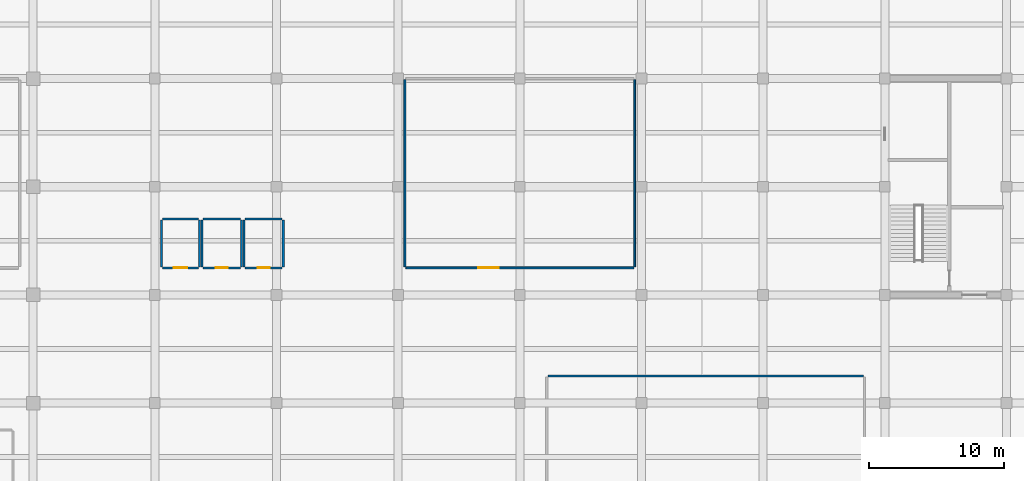
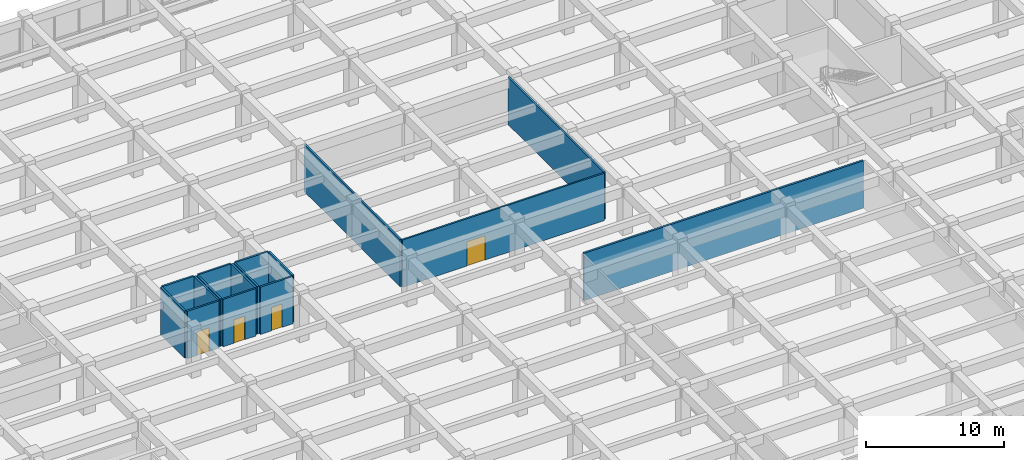
# One storey, part 31 of 50: 16 walls, 4 doors, 4 openings.
"""IFC4 building model written with IfcOpenShell, lengths in metres."""

from ifc_helpers import new_model, si_unit, direction, frame, frame_2d, origin, place, context, subcontext, project, spatial, rectangle, extrude, material, layer, layer_set, type_object, element, fill, save


model = new_model("IFC4")

# Units and contexts
model_context = context("Model", 3, precision=1e-05, world=origin(), true_north=direction((0.0, 1.0)))
body_context = subcontext(model_context, "Body", "Model", "MODEL_VIEW")
ifc_project = project(units=[si_unit("LENGTHUNIT", "METRE"), si_unit("AREAUNIT", "SQUARE_METRE"), si_unit("VOLUMEUNIT", "CUBIC_METRE"), si_unit("PLANEANGLEUNIT", "RADIAN"), si_unit("MASSUNIT", "GRAM", prefix="KILO")], contexts=[model_context])

# Site, building, storey
site_placement = place(None, origin())
site = spatial("IfcSite", under=ifc_project, at=site_placement, CompositionType="ELEMENT")
building_placement = place(site_placement, origin())
building = spatial("IfcBuilding", under=site, at=building_placement, Name="Zaverband Oceanarium and Marine Research Institute", CompositionType="ELEMENT")
storey_placement = place(building_placement, frame((0.0, 0.0, 4.5)))
storey = spatial("IfcBuildingStorey", under=building, at=storey_placement, Name="L01", CompositionType="ELEMENT", Elevation=4.5)

# Wall, opening, door
ifc_material_1 = material(Name="Acoustic classroom partition")
ifc_layer_1 = layer(ifc_material_1, 0.139892578125, Name="Acoustic classroom partition")
ifc_layer_set_1 = layer_set([ifc_layer_1], Name="Acoustic classroom partition")
wall_type_1 = type_object("IfcWallType", Name="PT-140-CL", PredefinedType="PARTITIONING", material=ifc_layer_set_1)
wall_1_placement = place(storey_placement, frame((99.570068359375, 82.0, 0.0), z_axis=(0.0, 0.0, 1.0), x_axis=(1.0, 0.0, 0.0)))
wall_1 = element("IfcWall", 1, at=wall_1_placement, inside=storey, type_object=wall_type_1, Name="Acoustic partition PT-140-CL", PredefinedType="PARTITIONING", context=body_context, shape_type="SweptSolid", body=[
    extrude(rectangle(XDim=16.85986328125, YDim=0.139892578125, at=frame_2d((8.429931640625, 0.0))), origin(), (0.0, 0.0, 1.0), 4.179931640625),
])
opening_1_placement = place(wall_1_placement, frame((5.368896484375, 0.0, 0.0)))
opening_1 = element("IfcOpeningElement", 2, at=opening_1_placement, cuts=wall_1, Name="Opening ID-1520x2150", PredefinedType="OPENING", context=body_context, shape_type="SweptSolid", body=[
    extrude(rectangle(XDim=1.52001953125, YDim=2.14990234375, at=frame_2d((0.760009765625, 1.074951171875))), frame((0.0, 0.08203125, 0.0), z_axis=(0.0, -1.0, 0.0), x_axis=(1.0, 0.0, 0.0)), (0.0, 0.0, 1.0), 0.163818359375),
])
ifc_material_2 = material(Name="Hardwood-veneered acoustic timber", Category="wood")
door_type_1 = type_object("IfcDoorType", Name="ID-1520x2150", OperationType="DOUBLE_DOOR_SINGLE_SWING", PredefinedType="DOOR", material=ifc_material_2)
door_1_placement = place(opening_1_placement, origin())
door_1 = element("IfcDoor", 3, at=door_1_placement, inside=storey, type_object=door_type_1, Name="Seminar double swing door ID-1520x2150", OperationType="DOUBLE_DOOR_SINGLE_SWING", OverallHeight=2.14990234375, OverallWidth=1.52001953125, PredefinedType="DOOR", context=body_context, shape_type="SweptSolid", body=[
    extrude(rectangle(XDim=1.52001953125, YDim=2.14990234375, at=frame_2d((0.760009765625, 1.074951171875))), frame((0.0, 0.02490234375, 0.0), z_axis=(0.0, -1.0, 0.0), x_axis=(1.0, 0.0, 0.0)), (0.0, 0.0, 1.0), 0.050048828125),
])
fill(opening_1, door_1)

# Walls
for number, where, z_axis, x_axis, name in (
    (4, (99.5, 82.070068359375, 0.0), (0.0, 0.0, 1.0), (0.0, 1.0, 0.0), "Acoustic partition PT-140-CL"),
    (5, (116.5, 82.070068359375, 0.0), (0.0, 0.0, 1.0), (0.0, 1.0, 0.0), "Acoustic partition PT-140-CL"),
):
    element("IfcWall", number, at=place(storey_placement, frame(where, z_axis=z_axis, x_axis=x_axis)), inside=storey, type_object=wall_type_1, Name=name, PredefinedType="PARTITIONING", context=body_context, shape_type="SweptSolid", body=[
        extrude(rectangle(XDim=13.85986328125, YDim=0.139892578125, at=frame_2d((6.929931640625, 0.0))), origin(), (0.0, 0.0, 1.0), 4.179931640625),
    ])

# Wall, opening, door
ifc_material_3 = material(Name="Ceramic-tiled wet-room blockwork", Category="masonry")
ifc_layer_2 = layer(ifc_material_3, 0.14990234375, Name="Ceramic-tiled wet-room blockwork")
ifc_layer_set_2 = layer_set([ifc_layer_2], Name="Ceramic-tiled wet-room blockwork")
wall_type_2 = type_object("IfcWallType", Name="PT-150-WC", PredefinedType="PARTITIONING", material=ifc_layer_set_2)
wall_2_placement = place(storey_placement, frame((81.574951171875, 82.0, 0.0), z_axis=(0.0, 0.0, 1.0), x_axis=(1.0, 0.0, 0.0)))
wall_2 = element("IfcWall", 6, at=wall_2_placement, inside=storey, type_object=wall_type_2, Name="Internal partition PT-150-WC", PredefinedType="PARTITIONING", context=body_context, shape_type="SweptSolid", body=[
    extrude(rectangle(XDim=2.650146484375, YDim=0.14990234375, at=frame_2d((1.3251953125, 0.0))), origin(), (0.0, 0.0, 1.0), 4.179931640625),
])
opening_2_placement = place(wall_2_placement, frame((0.81494140625, 0.0, 0.0)))
opening_2 = element("IfcOpeningElement", 7, at=opening_2_placement, cuts=wall_2, Name="Opening ID-1020x2100", PredefinedType="OPENING", context=body_context, shape_type="SweptSolid", body=[
    extrude(rectangle(XDim=1.02001953125, YDim=2.10009765625, at=frame_2d((0.510009765625, 1.050048828125))), frame((0.0, 0.0869140625, 0.0), z_axis=(0.0, -1.0, 0.0), x_axis=(1.0, 0.0, 0.0)), (0.0, 0.0, 1.0), 0.173828125),
])
door_type_2 = type_object("IfcDoorType", Name="ID-1020x2100", OperationType="NOTDEFINED", PredefinedType="DOOR", material=ifc_material_2)
door_2_placement = place(opening_2_placement, frame((1.02001953125, 0.0, 0.0), z_axis=(0.0, 0.0, 1.0), x_axis=(-1.0, 0.0, 0.0)))
door_2 = element("IfcDoor", 8, at=door_2_placement, inside=storey, type_object=door_type_2, Name="Accessible WC outward-swing door ID-1020x2100", OperationType="SINGLE_SWING_LEFT", OverallHeight=2.10009765625, OverallWidth=1.02001953125, PredefinedType="DOOR", context=body_context, shape_type="SweptSolid", body=[
    extrude(rectangle(XDim=1.02001953125, YDim=2.10009765625, at=frame_2d((0.510009765625, 1.050048828125))), frame((0.0, 0.02490234375, 0.0), z_axis=(0.0, -1.0, 0.0), x_axis=(1.0, 0.0, 0.0)), (0.0, 0.0, 1.0), 0.050048828125),
])
fill(opening_2, door_2)

# Walls
wall_3_placement = place(storey_placement, frame((81.574951171875, 85.60009765625, 0.0), z_axis=(0.0, 0.0, 1.0), x_axis=(1.0, 0.0, 0.0)))
element("IfcWall", 9, at=wall_3_placement, inside=storey, type_object=wall_type_2, Name="Internal partition PT-150-WC", PredefinedType="PARTITIONING", context=body_context, shape_type="SweptSolid", body=[
    extrude(rectangle(XDim=2.650146484375, YDim=0.14990234375, at=frame_2d((1.3251953125, 0.0))), origin(), (0.0, 0.0, 1.0), 4.179931640625),
])
for number, where, z_axis, x_axis, name in (
    (10, (81.5, 82.074951171875, 0.0), (0.0, 0.0, 1.0), (0.0, 1.0, 0.0), "Internal partition PT-150-WC"),
    (11, (84.300048828125, 82.074951171875, 0.0), (0.0, 0.0, 1.0), (0.0, 1.0, 0.0), "Internal partition PT-150-WC"),
):
    element("IfcWall", number, at=place(storey_placement, frame(where, z_axis=z_axis, x_axis=x_axis)), inside=storey, type_object=wall_type_2, Name=name, PredefinedType="PARTITIONING", context=body_context, shape_type="SweptSolid", body=[
        extrude(rectangle(XDim=3.449951171875, YDim=0.14990234375, at=frame_2d((1.72509765625, 0.0))), origin(), (0.0, 0.0, 1.0), 4.179931640625),
    ])

# Wall, opening, door
wall_4_placement = place(storey_placement, frame((84.574951171875, 82.0, 0.0), z_axis=(0.0, 0.0, 1.0), x_axis=(1.0, 0.0, 0.0)))
wall_4 = element("IfcWall", 12, at=wall_4_placement, inside=storey, type_object=wall_type_2, Name="Internal partition PT-150-WC", PredefinedType="PARTITIONING", context=body_context, shape_type="SweptSolid", body=[
    extrude(rectangle(XDim=2.75, YDim=0.14990234375, at=frame_2d((1.375, 0.0))), origin(), (0.0, 0.0, 1.0), 4.179931640625),
])
opening_3_placement = place(wall_4_placement, frame((0.919921875, 0.0, 0.0)))
opening_3 = element("IfcOpeningElement", 13, at=opening_3_placement, cuts=wall_4, Name="Opening ID-910x2080", PredefinedType="OPENING", context=body_context, shape_type="SweptSolid", body=[
    extrude(rectangle(XDim=0.909912109375, YDim=2.080078125, at=frame_2d((0.455078125, 1.0400390625))), frame((0.0, 0.0869140625, 0.0), z_axis=(0.0, -1.0, 0.0), x_axis=(1.0, 0.0, 0.0)), (0.0, 0.0, 1.0), 0.173828125),
])
door_type_3 = type_object("IfcDoorType", Name="ID-910x2080", OperationType="NOTDEFINED", PredefinedType="DOOR", material=ifc_material_2)
door_3_placement = place(opening_3_placement, origin())
door_3 = element("IfcDoor", 14, at=door_3_placement, inside=storey, type_object=door_type_3, Name="Sanitary washroom entrance door ID-910x2080", OperationType="SINGLE_SWING_RIGHT", OverallHeight=2.080078125, OverallWidth=0.909912109375, PredefinedType="DOOR", context=body_context, shape_type="SweptSolid", body=[
    extrude(rectangle(XDim=0.909912109375, YDim=2.080078125, at=frame_2d((0.455078125, 1.0400390625))), frame((0.0, 0.02490234375, 0.0), z_axis=(0.0, -1.0, 0.0), x_axis=(1.0, 0.0, 0.0)), (0.0, 0.0, 1.0), 0.050048828125),
])
fill(opening_3, door_3)

# Walls
wall_5_placement = place(storey_placement, frame((84.574951171875, 85.60009765625, 0.0), z_axis=(0.0, 0.0, 1.0), x_axis=(1.0, 0.0, 0.0)))
element("IfcWall", 15, at=wall_5_placement, inside=storey, type_object=wall_type_2, Name="Internal partition PT-150-WC", PredefinedType="PARTITIONING", context=body_context, shape_type="SweptSolid", body=[
    extrude(rectangle(XDim=2.75, YDim=0.14990234375, at=frame_2d((1.375, 0.0))), origin(), (0.0, 0.0, 1.0), 4.179931640625),
])
for number, where, z_axis, x_axis, name in (
    (16, (84.5, 82.074951171875, 0.0), (0.0, 0.0, 1.0), (0.0, 1.0, 0.0), "Internal partition PT-150-WC"),
    (17, (87.39990234375, 82.074951171875, 0.0), (0.0, 0.0, 1.0), (0.0, 1.0, 0.0), "Internal partition PT-150-WC"),
):
    element("IfcWall", number, at=place(storey_placement, frame(where, z_axis=z_axis, x_axis=x_axis)), inside=storey, type_object=wall_type_2, Name=name, PredefinedType="PARTITIONING", context=body_context, shape_type="SweptSolid", body=[
        extrude(rectangle(XDim=3.449951171875, YDim=0.14990234375, at=frame_2d((1.72509765625, 0.0))), origin(), (0.0, 0.0, 1.0), 4.179931640625),
    ])

# Wall, opening, door
wall_6_placement = place(storey_placement, frame((87.675048828125, 82.0, 0.0), z_axis=(0.0, 0.0, 1.0), x_axis=(1.0, 0.0, 0.0)))
wall_6 = element("IfcWall", 18, at=wall_6_placement, inside=storey, type_object=wall_type_2, Name="Internal partition PT-150-WC", PredefinedType="PARTITIONING", context=body_context, shape_type="SweptSolid", body=[
    extrude(rectangle(XDim=2.75, YDim=0.14990234375, at=frame_2d((1.375, 0.0))), origin(), (0.0, 0.0, 1.0), 4.179931640625),
])
opening_4_placement = place(wall_6_placement, frame((0.929931640625, 0.0, 0.0)))
opening_4 = element("IfcOpeningElement", 19, at=opening_4_placement, cuts=wall_6, Name="Opening ID-890x2060", PredefinedType="OPENING", context=body_context, shape_type="SweptSolid", body=[
    extrude(rectangle(XDim=0.889892578125, YDim=2.06005859375, at=frame_2d((0.44482421875, 1.030029296875))), frame((0.0, 0.0869140625, 0.0), z_axis=(0.0, -1.0, 0.0), x_axis=(1.0, 0.0, 0.0)), (0.0, 0.0, 1.0), 0.173828125),
])
door_type_4 = type_object("IfcDoorType", Name="ID-890x2060", OperationType="NOTDEFINED", PredefinedType="DOOR", material=ifc_material_2)
door_4_placement = place(opening_4_placement, origin())
door_4 = element("IfcDoor", 20, at=door_4_placement, inside=storey, type_object=door_type_4, Name="Staff WC door ID-890x2060", OperationType="SINGLE_SWING_LEFT", OverallHeight=2.06005859375, OverallWidth=0.889892578125, PredefinedType="DOOR", context=body_context, shape_type="SweptSolid", body=[
    extrude(rectangle(XDim=0.889892578125, YDim=2.06005859375, at=frame_2d((0.44482421875, 1.030029296875))), frame((0.0, 0.02490234375, 0.0), z_axis=(0.0, -1.0, 0.0), x_axis=(1.0, 0.0, 0.0)), (0.0, 0.0, 1.0), 0.050048828125),
])
fill(opening_4, door_4)

# Walls
wall_7_placement = place(storey_placement, frame((87.675048828125, 85.60009765625, 0.0), z_axis=(0.0, 0.0, 1.0), x_axis=(1.0, 0.0, 0.0)))
element("IfcWall", 21, at=wall_7_placement, inside=storey, type_object=wall_type_2, Name="Internal partition PT-150-WC", PredefinedType="PARTITIONING", context=body_context, shape_type="SweptSolid", body=[
    extrude(rectangle(XDim=2.75, YDim=0.14990234375, at=frame_2d((1.375, 0.0))), origin(), (0.0, 0.0, 1.0), 4.179931640625),
])
for number, where, z_axis, x_axis, name in (
    (22, (87.60009765625, 82.074951171875, 0.0), (0.0, 0.0, 1.0), (0.0, 1.0, 0.0), "Internal partition PT-150-WC"),
    (23, (90.5, 82.074951171875, 0.0), (0.0, 0.0, 1.0), (0.0, 1.0, 0.0), "Internal partition PT-150-WC"),
):
    element("IfcWall", number, at=place(storey_placement, frame(where, z_axis=z_axis, x_axis=x_axis)), inside=storey, type_object=wall_type_2, Name=name, PredefinedType="PARTITIONING", context=body_context, shape_type="SweptSolid", body=[
        extrude(rectangle(XDim=3.449951171875, YDim=0.14990234375, at=frame_2d((1.72509765625, 0.0))), origin(), (0.0, 0.0, 1.0), 4.179931640625),
    ])
ifc_material_4 = material(Name="Corridor rated drywall partition")
ifc_layer_3 = layer(ifc_material_4, 0.1650390625, Name="Corridor rated drywall partition")
ifc_layer_set_3 = layer_set([ifc_layer_3], Name="Corridor rated drywall partition")
wall_type_3 = type_object("IfcWallType", Name="PT-165-CR", PredefinedType="PARTITIONING", material=ifc_layer_set_3)
wall_8_placement = place(storey_placement, frame((110.08251953125, 74.0, 0.0), z_axis=(0.0, 0.0, 1.0), x_axis=(1.0, 0.0, 0.0)))
element("IfcWall", 24, at=wall_8_placement, inside=storey, type_object=wall_type_3, Name="Internal partition PT-165-CR", PredefinedType="PARTITIONING", context=body_context, shape_type="SweptSolid", body=[
    extrude(rectangle(XDim=23.3349609375, YDim=0.1650390625, at=frame_2d((11.66748046875, 0.0))), origin(), (0.0, 0.0, 1.0), 4.179931640625),
])

save(model, "model.ifc")
